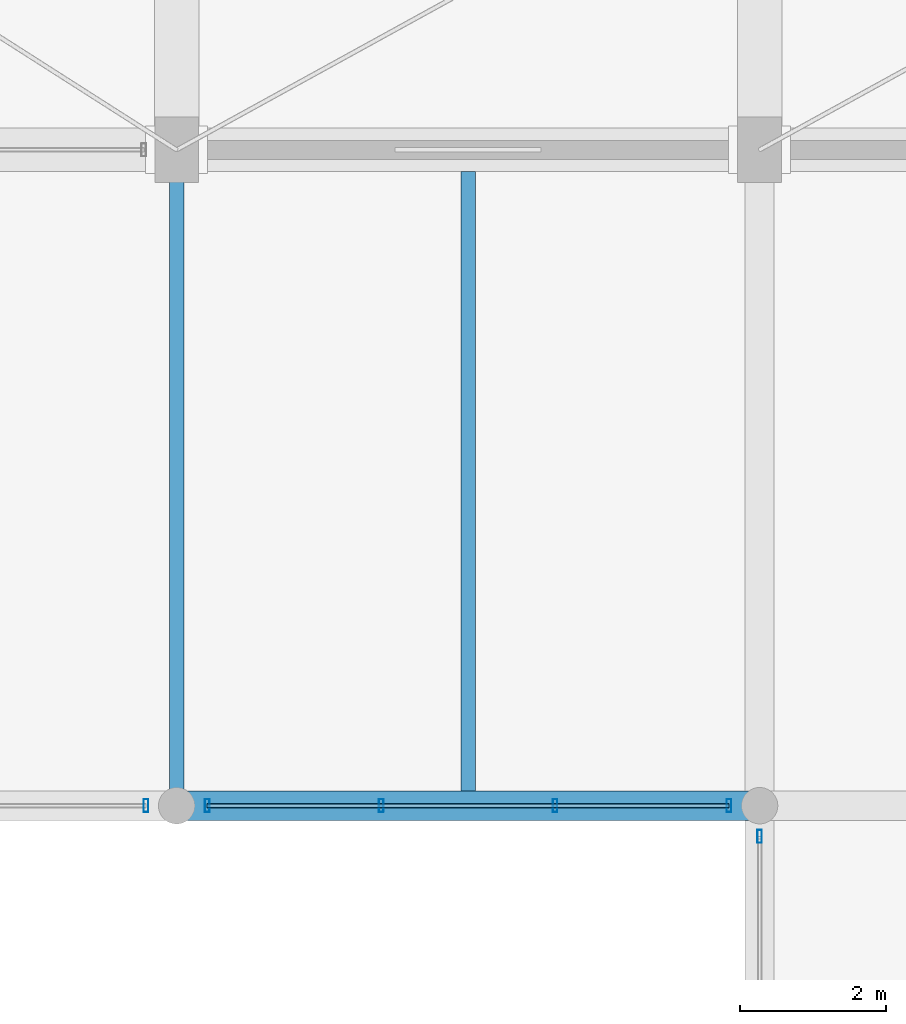
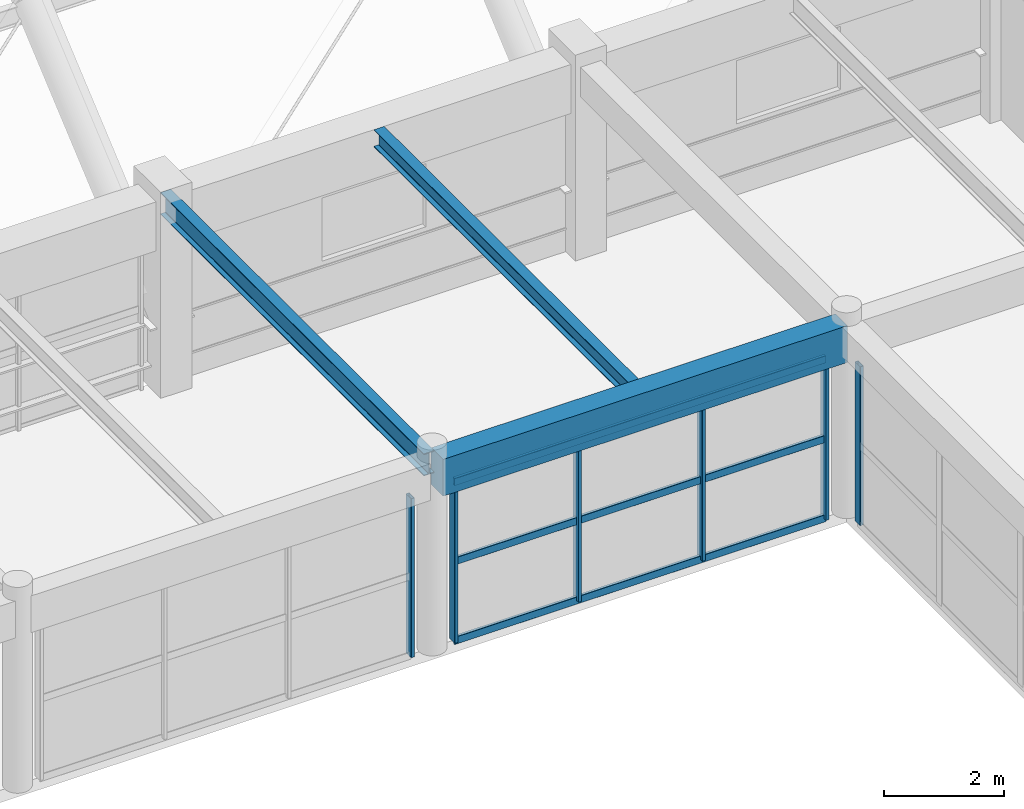
# One storey, part 28 of 126: 9 members, 3 beams, 3 elements without a shape of their own.
"""IFC4 building model written with IfcOpenShell, lengths in metres."""

from ifc_helpers import new_model, si_unit, direction, frame, origin, origin_2d, place, context, subcontext, project, spatial, rectangle, hollow_rectangle, i_section, extrude, material, material_profile, profile_set, type_object, element, aggregate, save


model = new_model("IFC4")

# Units and contexts
model_context = context("Model", 3, precision=1e-05, world=origin(), true_north=direction((0.0, 1.0)))
body_context = subcontext(model_context, "Body", "Model", "MODEL_VIEW")
ifc_project = project(units=[si_unit("LENGTHUNIT", "METRE"), si_unit("AREAUNIT", "SQUARE_METRE"), si_unit("VOLUMEUNIT", "CUBIC_METRE"), si_unit("PLANEANGLEUNIT", "RADIAN"), si_unit("MASSUNIT", "GRAM", prefix="KILO")], contexts=[model_context])

# Site, building, storey
site_placement = place(None, origin())
site = spatial("IfcSite", under=ifc_project, at=site_placement, CompositionType="ELEMENT")
building_placement = place(site_placement, origin())
building = spatial("IfcBuilding", under=site, at=building_placement, Name="Varnabhumi Central Station", CompositionType="ELEMENT")
storey_placement = place(building_placement, frame((0.0, 0.0, 16.199951171875)))
storey = spatial("IfcBuildingStorey", under=building, at=storey_placement, Name="L03", CompositionType="ELEMENT", Elevation=16.199951171875)

# Beams
ifc_material_1 = material(Name="Concrete M40", Category="concrete")
ifc_material_profile_1 = material_profile(ifc_material_1, rectangle(XDim=0.39990234375, YDim=0.75, at=origin_2d()), Name="Concrete M40", Category="concrete")
ifc_profile_set_1 = profile_set([ifc_material_profile_1], Name="Concrete M40")
beam_type_1 = type_object("IfcBeamType", Name="BM-RC-400x750", PredefinedType="BEAM", material=ifc_profile_set_1)
beam_1_placement = place(storey_placement, frame((136.10009765625, 27.0, 3.545166015625), z_axis=(1.0, 0.0, 0.0), x_axis=(0.0, 1.0, 0.0)))
element("IfcBeam", 1, at=beam_1_placement, inside=storey, type_object=beam_type_1, Name="Beam L03-D:18-19", PredefinedType="BEAM", context=body_context, shape_type="SweptSolid", body=[
    extrude(rectangle(XDim=0.39990234375, YDim=0.75, at=origin_2d()), origin(), (0.0, 0.0, 1.0), 7.7998046875),
])
ifc_material_2 = material(Name="Structural steel E350", Category="steel")
ifc_material_profile_2 = material_profile(ifc_material_2, i_section(OverallWidth=0.199951171875, OverallDepth=0.35009765625, WebThickness=0.008056640625, FlangeThickness=0.011474609375, FilletRadius=0.011962890625, at=origin_2d()), Name="Structural steel E350", Category="steel")
ifc_profile_set_2 = profile_set([ifc_material_profile_2], Name="Structural steel E350")
beam_type_2 = type_object("IfcBeamType", Name="BM-STL-ISWB350", PredefinedType="JOIST", material=ifc_profile_set_2)
beam_2_placement = place(storey_placement, frame((140.0, 27.199951171875, 3.7451171875), z_axis=(0.0, 1.0, 0.0), x_axis=(-1.0, 0.0, 0.0)))
element("IfcBeam", 2, at=beam_2_placement, inside=storey, type_object=beam_type_2, Name="Secondary Joist L03-18/19:D-E", PredefinedType="JOIST", context=body_context, shape_type="SweptSolid", body=[
    extrude(i_section(OverallWidth=0.199951171875, OverallDepth=0.35009765625, WebThickness=0.008056640625, FlangeThickness=0.011474609375, FilletRadius=0.011962890625, at=origin_2d()), origin(), (0.0, 0.0, 1.0), 8.5),
])
ifc_material_profile_3 = material_profile(ifc_material_2, i_section(OverallWidth=0.199951171875, OverallDepth=0.449951171875, WebThickness=0.00927734375, FlangeThickness=0.015380859375, FilletRadius=0.013916015625, at=origin_2d()), Name="Structural steel E350", Category="steel")
ifc_profile_set_3 = profile_set([ifc_material_profile_3], Name="Structural steel E350")
beam_type_3 = type_object("IfcBeamType", Name="BM-STL-ISWB450", PredefinedType="BEAM", material=ifc_profile_set_3)
beam_3_placement = place(storey_placement, frame((136.0, 27.10009765625, 3.695068359375), z_axis=(0.0, 1.0, 0.0), x_axis=(-1.0, 0.0, 0.0)))
element("IfcBeam", 3, at=beam_3_placement, inside=storey, type_object=beam_type_3, Name="Beam L03-18:D-E", PredefinedType="BEAM", context=body_context, shape_type="SweptSolid", body=[
    extrude(i_section(OverallWidth=0.199951171875, OverallDepth=0.449951171875, WebThickness=0.00927734375, FlangeThickness=0.015380859375, FilletRadius=0.013916015625, at=origin_2d()), origin(), (0.0, 0.0, 1.0), 8.7998046875),
])

# Curtain wall, member
ifc_material_3 = material(Name="Anodised aluminium 6063-T6", Category="aluminium")
curtain_wall_type = type_object("IfcCurtainWallType", Name="CW-PATIO-LOGGIA-L3", PredefinedType="NOTDEFINED", material=ifc_material_3)
curtain_wall_1_placement = place(storey_placement, origin())
curtain_wall_1 = element("IfcCurtainWall", 4, at=curtain_wall_1_placement, inside=storey, type_object=curtain_wall_type, Name="Curtain Wall CW-SP3W2", PredefinedType="NOTDEFINED")
ifc_material_profile_4 = material_profile(ifc_material_3, hollow_rectangle(XDim=0.06494140625, YDim=0.179931640625, WallThickness=0.00390625, InnerFilletRadius=0.001953125, OuterFilletRadius=0.006103515625, at=origin_2d()), Name="Anodised aluminium 6063-T6", Category="aluminium")
ifc_profile_set_4 = profile_set([ifc_material_profile_4], Name="Anodised aluminium 6063-T6")
member_type_1 = type_object("IfcMemberType", Name="CW-MUL-180", PredefinedType="MULLION", material=ifc_profile_set_4)
member_1_placement = place(storey_placement, frame((144.0, 26.580078125, 0.0), z_axis=(0.0, 0.0, 1.0), x_axis=(1.0, 0.0, 0.0)))
member_1 = element("IfcMember", 5, at=member_1_placement, type_object=member_type_1, Name="Curtain Wall Mullion CW-SP3W2-M4", PredefinedType="MULLION", context=body_context, shape_type="SweptSolid", body=[
    extrude(hollow_rectangle(XDim=0.06494140625, YDim=0.179931640625, WallThickness=0.00390625, InnerFilletRadius=0.001953125, OuterFilletRadius=0.006103515625, at=origin_2d()), origin(), (0.0, 0.0, 1.0), 3.239990234375),
])
aggregate(curtain_wall_1, [member_1])

curtain_wall_2_placement = place(storey_placement, origin())
curtain_wall_2 = element("IfcCurtainWall", 6, at=curtain_wall_2_placement, inside=storey, type_object=curtain_wall_type, Name="Curtain Wall CW-SP3N3", PredefinedType="NOTDEFINED")
member_2_placement = place(storey_placement, frame((135.580078125, 27.0, 0.0), z_axis=(0.0, 0.0, 1.0), x_axis=(1.0, 0.0, 0.0)))
member_2 = element("IfcMember", 7, at=member_2_placement, type_object=member_type_1, Name="Curtain Wall Mullion CW-SP3N3-M4", PredefinedType="MULLION", context=body_context, shape_type="SweptSolid", body=[
    extrude(hollow_rectangle(XDim=0.06494140625, YDim=0.179931640625, WallThickness=0.00390625, InnerFilletRadius=0.001953125, OuterFilletRadius=0.006103515625, at=origin_2d()), origin(), (0.0, 0.0, 1.0), 3.239990234375),
])
aggregate(curtain_wall_2, [member_2])

# Curtain wall, members
curtain_wall_3_placement = place(storey_placement, origin())
curtain_wall_3 = element("IfcCurtainWall", 8, at=curtain_wall_3_placement, inside=storey, type_object=curtain_wall_type, Name="Curtain Wall CW-SP3N4", PredefinedType="NOTDEFINED")
member_3_placement = place(storey_placement, frame((136.419921875, 27.0, 0.0), z_axis=(0.0, 0.0, 1.0), x_axis=(1.0, 0.0, 0.0)))
member_3 = element("IfcMember", 9, at=member_3_placement, type_object=member_type_1, Name="Curtain Wall Mullion CW-SP3N4-M1", PredefinedType="MULLION", context=body_context, shape_type="SweptSolid", body=[
    extrude(hollow_rectangle(XDim=0.06494140625, YDim=0.179931640625, WallThickness=0.00390625, InnerFilletRadius=0.001953125, OuterFilletRadius=0.006103515625, at=origin_2d()), origin(), (0.0, 0.0, 1.0), 3.239990234375),
])
member_4_placement = place(storey_placement, frame((138.806640625, 27.0, 0.0), z_axis=(0.0, 0.0, 1.0), x_axis=(1.0, 0.0, 0.0)))
member_4 = element("IfcMember", 10, at=member_4_placement, type_object=member_type_1, Name="Curtain Wall Mullion CW-SP3N4-M2", PredefinedType="MULLION", context=body_context, shape_type="SweptSolid", body=[
    extrude(hollow_rectangle(XDim=0.06494140625, YDim=0.179931640625, WallThickness=0.00390625, InnerFilletRadius=0.001953125, OuterFilletRadius=0.006103515625, at=origin_2d()), origin(), (0.0, 0.0, 1.0), 3.239990234375),
])
member_5_placement = place(storey_placement, frame((141.193359375, 27.0, 0.0), z_axis=(0.0, 0.0, 1.0), x_axis=(1.0, 0.0, 0.0)))
member_5 = element("IfcMember", 11, at=member_5_placement, type_object=member_type_1, Name="Curtain Wall Mullion CW-SP3N4-M3", PredefinedType="MULLION", context=body_context, shape_type="SweptSolid", body=[
    extrude(hollow_rectangle(XDim=0.06494140625, YDim=0.179931640625, WallThickness=0.00390625, InnerFilletRadius=0.001953125, OuterFilletRadius=0.006103515625, at=origin_2d()), origin(), (0.0, 0.0, 1.0), 3.239990234375),
])
member_6_placement = place(storey_placement, frame((143.580078125, 27.0, 0.0), z_axis=(0.0, 0.0, 1.0), x_axis=(1.0, 0.0, 0.0)))
member_6 = element("IfcMember", 12, at=member_6_placement, type_object=member_type_1, Name="Curtain Wall Mullion CW-SP3N4-M4", PredefinedType="MULLION", context=body_context, shape_type="SweptSolid", body=[
    extrude(hollow_rectangle(XDim=0.06494140625, YDim=0.179931640625, WallThickness=0.00390625, InnerFilletRadius=0.001953125, OuterFilletRadius=0.006103515625, at=origin_2d()), origin(), (0.0, 0.0, 1.0), 3.239990234375),
])
ifc_material_profile_5 = material_profile(ifc_material_3, hollow_rectangle(XDim=0.06005859375, YDim=0.14990234375, WallThickness=0.00390625, InnerFilletRadius=0.001953125, OuterFilletRadius=0.006103515625, at=origin_2d()), Name="Anodised aluminium 6063-T6", Category="aluminium")
ifc_profile_set_5 = profile_set([ifc_material_profile_5], Name="Anodised aluminium 6063-T6")
member_type_2 = type_object("IfcMemberType", Name="CW-TR-150", PredefinedType="USERDEFINED", material=ifc_profile_set_5)
member_7_placement = place(storey_placement, frame((136.419921875, 27.0, 0.0), z_axis=(1.0, 0.0, 0.0), x_axis=(0.0, 1.0, 0.0)))
member_7 = element("IfcMember", 13, at=member_7_placement, type_object=member_type_2, Name="Curtain Wall Transom CW-SP3N4-T1", ObjectType="TRANSOM", PredefinedType="USERDEFINED", context=body_context, shape_type="SweptSolid", body=[
    extrude(hollow_rectangle(XDim=0.06005859375, YDim=0.14990234375, WallThickness=0.00390625, InnerFilletRadius=0.001953125, OuterFilletRadius=0.006103515625, at=origin_2d()), origin(), (0.0, 0.0, 1.0), 7.16015625),
])
member_8_placement = place(storey_placement, frame((136.419921875, 27.0, 1.6201171875), z_axis=(1.0, 0.0, 0.0), x_axis=(0.0, 1.0, 0.0)))
member_8 = element("IfcMember", 14, at=member_8_placement, type_object=member_type_2, Name="Curtain Wall Transom CW-SP3N4-T2", ObjectType="TRANSOM", PredefinedType="USERDEFINED", context=body_context, shape_type="SweptSolid", body=[
    extrude(hollow_rectangle(XDim=0.06005859375, YDim=0.14990234375, WallThickness=0.00390625, InnerFilletRadius=0.001953125, OuterFilletRadius=0.006103515625, at=origin_2d()), origin(), (0.0, 0.0, 1.0), 7.16015625),
])
member_9_placement = place(storey_placement, frame((136.419921875, 27.0, 3.239990234375), z_axis=(1.0, 0.0, 0.0), x_axis=(0.0, 1.0, 0.0)))
member_9 = element("IfcMember", 15, at=member_9_placement, type_object=member_type_2, Name="Curtain Wall Transom CW-SP3N4-T3", ObjectType="TRANSOM", PredefinedType="USERDEFINED", context=body_context, shape_type="SweptSolid", body=[
    extrude(hollow_rectangle(XDim=0.06005859375, YDim=0.14990234375, WallThickness=0.00390625, InnerFilletRadius=0.001953125, OuterFilletRadius=0.006103515625, at=origin_2d()), origin(), (0.0, 0.0, 1.0), 7.16015625),
])
aggregate(curtain_wall_3, [member_3, member_4, member_5, member_6, member_7, member_8, member_9])

save(model, "model.ifc")
